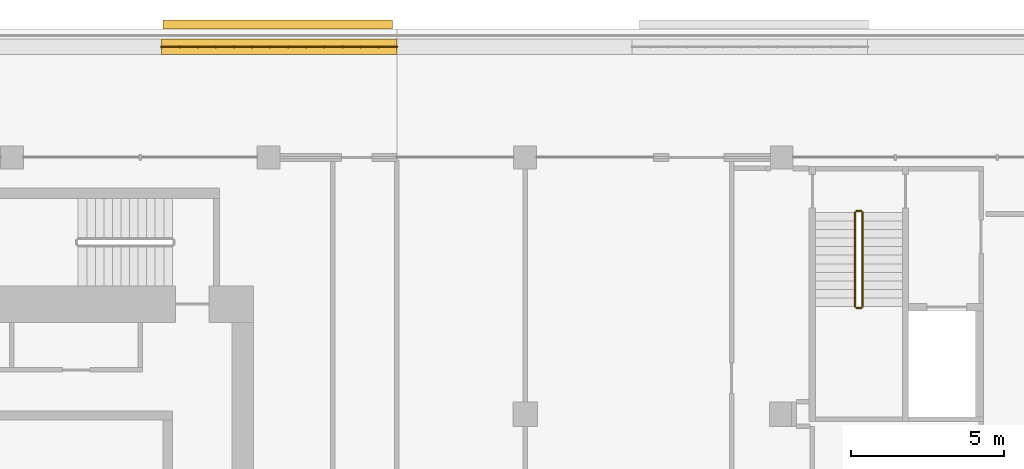
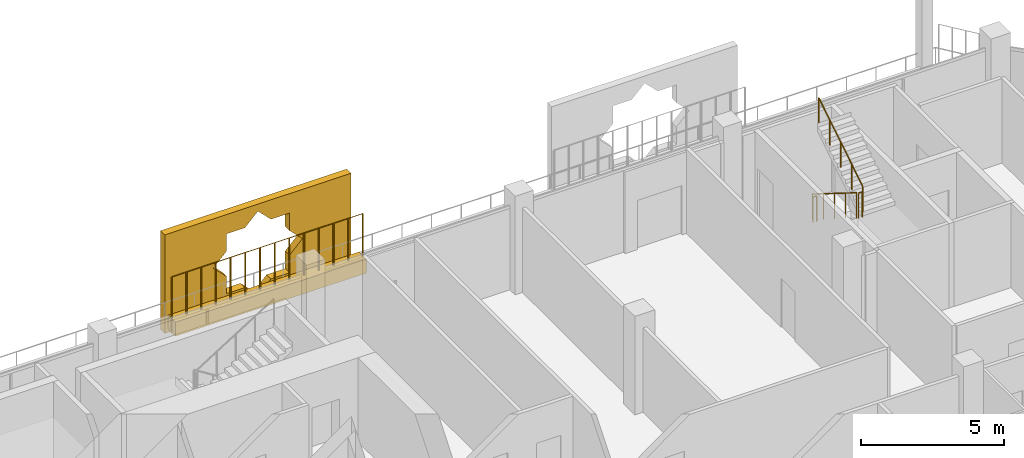
# One storey, part 20 of 21: 5 railings, 2 coverings.
"""IFC4 building model written with IfcOpenShell, lengths in metres."""

from ifc_helpers import new_model, si_unit, direction, frame, origin, origin_2d, place, context, subcontext, project, spatial, polyline, rectangle, circle, outline, extrude, material, material_profile, profile_set, type_object, element, save


model = new_model("IFC4")

# Units and contexts
model_context = context("Model", 3, precision=1e-05, world=origin(), true_north=direction((0.0, 1.0)))
body_context = subcontext(model_context, "Body", "Model", "MODEL_VIEW")
ifc_project = project(units=[si_unit("LENGTHUNIT", "METRE"), si_unit("AREAUNIT", "SQUARE_METRE"), si_unit("VOLUMEUNIT", "CUBIC_METRE"), si_unit("PLANEANGLEUNIT", "RADIAN"), si_unit("MASSUNIT", "GRAM", prefix="KILO")], contexts=[model_context])

# Site, building, storey
site_placement = place(None, origin())
site = spatial("IfcSite", under=ifc_project, at=site_placement, CompositionType="ELEMENT")
building_placement = place(site_placement, origin())
building = spatial("IfcBuilding", under=site, at=building_placement, Name="Kawkab Arch Medical Tower", CompositionType="ELEMENT")
storey_placement = place(building_placement, frame((0.0, 0.0, 315.39990234375)))
storey = spatial("IfcBuildingStorey", under=building, at=storey_placement, Name="L73", CompositionType="ELEMENT", Elevation=315.39990234375)

# Coverings
ifc_material_1 = material(Name="Bronze anodised aluminium mashrabiya panel, eight-point star pattern", Category="aluminium")
ifc_material_profile_1 = material_profile(ifc_material_1, outline(polyline([(-3.75, -2.10009765625), (3.75, -2.10009765625), (3.75, 2.10009765625), (-3.75, 2.10009765625), (-3.75, -2.10009765625)]), holes=[polyline([(1.800048828125, 0.0), (1.272705078125, 0.527099609375), (1.272705078125, 1.272705078125), (0.527099609375, 1.272705078125), (0.0, 1.800048828125), (-0.527099609375, 1.272705078125), (-1.272705078125, 1.272705078125), (-1.272705078125, 0.527099609375), (-1.800048828125, 0.0), (-1.272705078125, -0.527099609375), (-1.272705078125, -1.272705078125), (-0.527099609375, -1.272705078125), (0.0, -1.800048828125), (0.527099609375, -1.272705078125), (1.272705078125, -1.272705078125), (1.272705078125, -0.527099609375), (1.800048828125, 0.0)])]), Name="Mashrabiya panel 7500x4200")
ifc_profile_set_1 = profile_set([ifc_material_profile_1], Name="Bronze anodised aluminium mashrabiya panel, eight-point star pattern")
covering_type_1 = type_object("IfcCoveringType", Name="Mashrabiya panel 7500 x 4200", PredefinedType="USERDEFINED", material=ifc_profile_set_1)
covering_1_placement = place(storey_placement, frame((25.500732421875, 4.199951171875, 1.7001953125), z_axis=(0.0, 1.0, 0.0), x_axis=(-1.0, 0.0, 0.0)))
element("IfcCovering", 1, at=covering_1_placement, inside=storey, type_object=covering_type_1, Name="Mashrabiya panel L73.LOG-01-01.4", ObjectType="SCREEN", PredefinedType="USERDEFINED", context=body_context, shape_type="SweptSolid", body=[
    extrude(outline(polyline([(-3.75, -2.10009765625), (3.75, -2.10009765625), (3.75, 2.10009765625), (-3.75, 2.10009765625), (-3.75, -2.10009765625)]), holes=[polyline([(1.800048828125, 0.0), (1.272705078125, 0.527099609375), (1.272705078125, 1.272705078125), (0.527099609375, 1.272705078125), (0.0, 1.800048828125), (-0.527099609375, 1.272705078125), (-1.272705078125, 1.272705078125), (-1.272705078125, 0.527099609375), (-1.800048828125, 0.0), (-1.272705078125, -0.527099609375), (-1.272705078125, -1.272705078125), (-0.527099609375, -1.272705078125), (0.0, -1.800048828125), (0.527099609375, -1.272705078125), (1.272705078125, -1.272705078125), (1.272705078125, -0.527099609375), (1.800048828125, 0.0)])]), origin(), (0.0, 0.0, 1.0), 0.300048828125),
])
ifc_material_2 = material(Name="Planting soil in a precast trough", Category="concrete")
ifc_material_profile_2 = material_profile(ifc_material_2, rectangle(XDim=0.5, YDim=0.60009765625, at=origin_2d()), Name="Trough 500x600")
ifc_profile_set_2 = profile_set([ifc_material_profile_2], Name="Planting soil in a precast trough")
covering_type_2 = type_object("IfcCoveringType", Name="Planter trough 500 x 600", PredefinedType="USERDEFINED", material=ifc_profile_set_2)
covering_2_placement = place(storey_placement, frame((21.695068359375, 3.6201171875, 0.300048828125), z_axis=(1.0, 0.0, 0.0), x_axis=(0.0, 1.0, 0.0)))
element("IfcCovering", 2, at=covering_2_placement, inside=storey, type_object=covering_type_2, Name="Planter L73.LOG-01-01.15", ObjectType="PLANTER", PredefinedType="USERDEFINED", context=body_context, shape_type="SweptSolid", body=[
    extrude(rectangle(XDim=0.5, YDim=0.60009765625, at=origin_2d()), origin(), (0.0, 0.0, 1.0), 7.704833984375),
])

# Railings
ifc_material_3 = material(Name="Bronze anodised aluminium trellis for climbing plants", Category="aluminium")
railing_type_1 = type_object("IfcRailingType", Name="Planting trellis 2400", PredefinedType="USERDEFINED", material=ifc_material_3)
railing_1_placement = place(storey_placement, frame((21.695068359375, 3.6201171875, 0.0)))
element("IfcRailing", 3, at=railing_1_placement, inside=storey, type_object=railing_type_1, Name="Planting trellis L73.LOG-01-01.15", ObjectType="TRELLIS", PredefinedType="USERDEFINED", context=body_context, shape_type="SweptSolid", body=[
    extrude(circle(Radius=0.01513671875, at=origin_2d()), frame((0.0, 0.0, 2.384765625), z_axis=(1.0, 0.0, 0.0), x_axis=(0.0, 1.0, 0.0)), (0.0, 0.0, 1.0), 7.704833984375),
    extrude(circle(Radius=0.030029296875, at=origin_2d()), origin(), (0.0, 0.0, 1.0), 2.369873046875),
    extrude(circle(Radius=0.030029296875, at=origin_2d()), frame((0.5927734375, 0.0, 0.0)), (0.0, 0.0, 1.0), 2.369873046875),
    extrude(circle(Radius=0.030029296875, at=origin_2d()), frame((1.185302734375, 0.0, 0.0)), (0.0, 0.0, 1.0), 2.369873046875),
    extrude(circle(Radius=0.030029296875, at=origin_2d()), frame((1.778076171875, 0.0, 0.0)), (0.0, 0.0, 1.0), 2.369873046875),
    extrude(circle(Radius=0.030029296875, at=origin_2d()), frame((2.37060546875, 0.0, 0.0)), (0.0, 0.0, 1.0), 2.369873046875),
    extrude(circle(Radius=0.030029296875, at=origin_2d()), frame((2.96337890625, 0.0, 0.0)), (0.0, 0.0, 1.0), 2.369873046875),
    extrude(circle(Radius=0.030029296875, at=origin_2d()), frame((3.55615234375, 0.0, 0.0)), (0.0, 0.0, 1.0), 2.369873046875),
    extrude(circle(Radius=0.030029296875, at=origin_2d()), frame((4.148681640625, 0.0, 0.0)), (0.0, 0.0, 1.0), 2.369873046875),
    extrude(circle(Radius=0.030029296875, at=origin_2d()), frame((4.741455078125, 0.0, 0.0)), (0.0, 0.0, 1.0), 2.369873046875),
    extrude(circle(Radius=0.030029296875, at=origin_2d()), frame((5.334228515625, 0.0, 0.0)), (0.0, 0.0, 1.0), 2.369873046875),
    extrude(circle(Radius=0.030029296875, at=origin_2d()), frame((5.9267578125, 0.0, 0.0)), (0.0, 0.0, 1.0), 2.369873046875),
    extrude(circle(Radius=0.030029296875, at=origin_2d()), frame((6.51953125, 0.0, 0.0)), (0.0, 0.0, 1.0), 2.369873046875),
    extrude(circle(Radius=0.030029296875, at=origin_2d()), frame((7.112060546875, 0.0, 0.0)), (0.0, 0.0, 1.0), 2.369873046875),
    extrude(circle(Radius=0.030029296875, at=origin_2d()), frame((7.704833984375, 0.0, 0.0)), (0.0, 0.0, 1.0), 2.369873046875),
])
ifc_material_4 = material(Name="Stainless steel", Category="steel")
railing_type_2 = type_object("IfcRailingType", Name="Stair guard 1100", PredefinedType="GUARDRAIL", material=ifc_material_4)
railing_2_placement = place(storey_placement, frame((44.39990234375, -1.800048828125, 0.175048828125)))
element("IfcRailing", 4, at=railing_2_placement, inside=storey, type_object=railing_type_2, Name="L73 ST5 stair guard 1", PredefinedType="GUARDRAIL", context=body_context, shape_type="SweptSolid", body=[
    extrude(circle(Radius=0.02392578125, at=origin_2d()), frame((0.0, 0.0, 1.076171875), z_axis=(0.0, -0.847979421464, 0.530029150871), x_axis=(1.0, 0.0, 0.0)), (0.0, 0.0, 1.0), 3.632080078125),
    extrude(circle(Radius=0.02099609375, at=origin_2d()), origin(), (0.0, 0.0, 1.0), 1.052001953125),
    extrude(circle(Radius=0.02099609375, at=origin_2d()), frame((0.0, -0.77001953125, 0.481201171875)), (0.0, 0.0, 1.0), 1.052001953125),
    extrude(circle(Radius=0.02099609375, at=origin_2d()), frame((0.0, -1.5400390625, 0.96240234375)), (0.0, 0.0, 1.0), 1.052001953125),
    extrude(circle(Radius=0.02099609375, at=origin_2d()), frame((0.0, -2.309814453125, 1.44384765625)), (0.0, 0.0, 1.0), 1.052001953125),
    extrude(circle(Radius=0.02099609375, at=origin_2d()), frame((0.0, -3.079833984375, 1.925048828125)), (0.0, 0.0, 1.0), 1.052001953125),
])
railing_3_placement = place(storey_placement, frame((44.449951171875, -4.929931640625, 2.10009765625)))
element("IfcRailing", 5, at=railing_3_placement, inside=storey, type_object=railing_type_2, Name="L73 ST5 stair guard 2", PredefinedType="GUARDRAIL", context=body_context, shape_type="SweptSolid", body=[
    extrude(circle(Radius=0.02392578125, at=origin_2d()), frame((0.0, 0.0, 1.076171875), z_axis=(1.0, 0.0, 0.0), x_axis=(0.0, 1.0, 0.0)), (0.0, 0.0, 1.0), 0.150146484375),
    extrude(circle(Radius=0.02099609375, at=origin_2d()), origin(), (0.0, 0.0, 1.0), 1.052001953125),
    extrude(circle(Radius=0.02099609375, at=origin_2d()), frame((0.150146484375, 0.0, 0.0)), (0.0, 0.0, 1.0), 1.052001953125),
])
railing_4_placement = place(storey_placement, frame((44.64990234375, -4.8798828125, 2.275146484375)))
element("IfcRailing", 6, at=railing_4_placement, inside=storey, type_object=railing_type_2, Name="L73 ST5 stair guard 3", PredefinedType="GUARDRAIL", context=body_context, shape_type="SweptSolid", body=[
    extrude(circle(Radius=0.02392578125, at=origin_2d()), frame((0.0, 0.0, 1.076171875), z_axis=(0.0, 0.847979421464, 0.530029150871), x_axis=(-1.0, 0.0, 0.0)), (0.0, 0.0, 1.0), 3.632080078125),
    extrude(circle(Radius=0.02099609375, at=origin_2d()), origin(), (0.0, 0.0, 1.0), 1.052001953125),
    extrude(circle(Radius=0.02099609375, at=origin_2d()), frame((0.0, 0.77001953125, 0.481201171875)), (0.0, 0.0, 1.0), 1.052001953125),
    extrude(circle(Radius=0.02099609375, at=origin_2d()), frame((0.0, 1.5400390625, 0.96240234375)), (0.0, 0.0, 1.0), 1.052001953125),
    extrude(circle(Radius=0.02099609375, at=origin_2d()), frame((0.0, 2.309814453125, 1.44384765625)), (0.0, 0.0, 1.0), 1.052001953125),
    extrude(circle(Radius=0.02099609375, at=origin_2d()), frame((0.0, 3.079833984375, 1.925048828125)), (0.0, 0.0, 1.0), 1.052001953125),
])
railing_5_placement = place(storey_placement, frame((44.449951171875, -1.75, 0.0)))
element("IfcRailing", 7, at=railing_5_placement, inside=storey, type_object=railing_type_2, Name="L73 ST5 stair guard 4", PredefinedType="GUARDRAIL", context=body_context, shape_type="SweptSolid", body=[
    extrude(circle(Radius=0.02392578125, at=origin_2d()), frame((0.0, 0.0, 1.076171875), z_axis=(1.0, 0.0, 0.0), x_axis=(0.0, 1.0, 0.0)), (0.0, 0.0, 1.0), 0.150146484375),
    extrude(circle(Radius=0.02099609375, at=origin_2d()), origin(), (0.0, 0.0, 1.0), 1.052001953125),
    extrude(circle(Radius=0.02099609375, at=origin_2d()), frame((0.150146484375, 0.0, 0.0)), (0.0, 0.0, 1.0), 1.052001953125),
])

save(model, "model.ifc")
